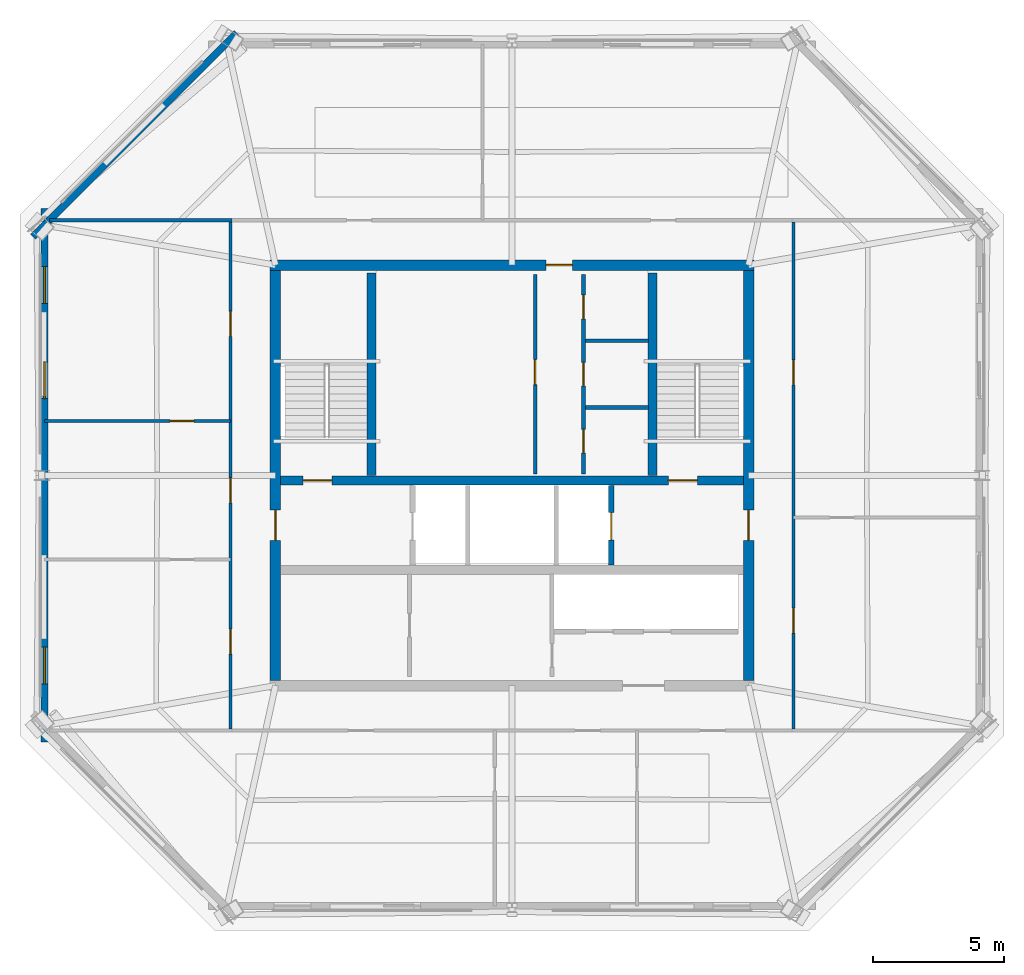
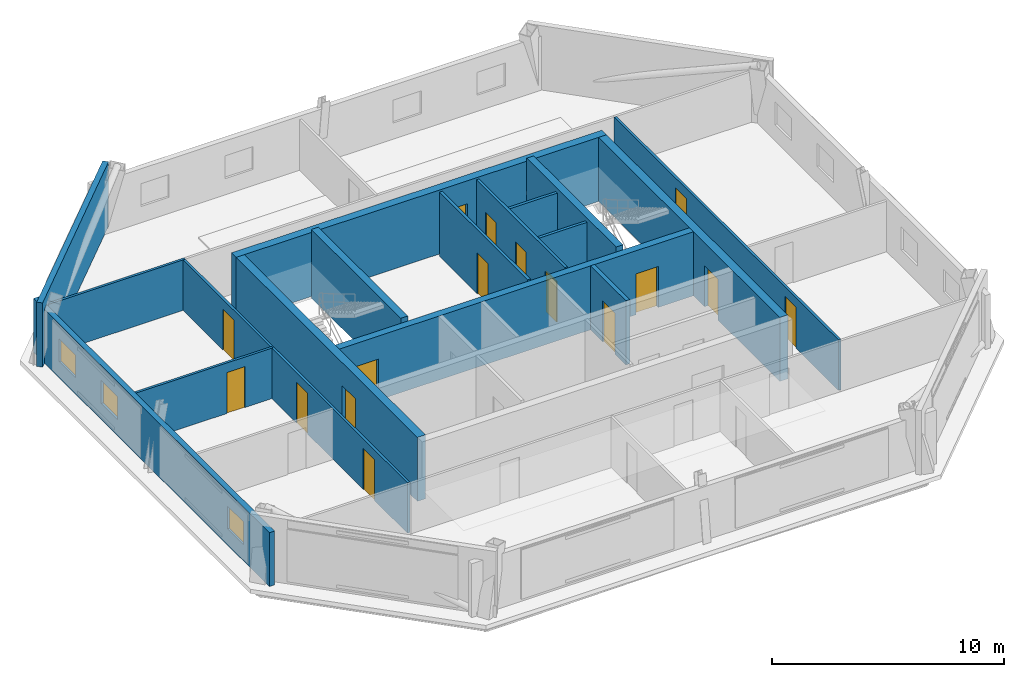
# One storey, part 3 of 6: 17 walls, 16 doors, 3 windows, 19 openings.
"""IFC4 building model written with IfcOpenShell, lengths in metres."""

import ifcopenshell
import ifcopenshell.guid

model = None  # the IFC model being written
_history = None  # IfcOwnerHistory: only IFC2X3 demands one
_inside = {}  # id of a spatial element -> (the spatial element, [elements in it])
_under = {}  # id of a project, library or spatial element -> (it, [spatial elements below it])
_declared = {}  # id of a project -> (the project, [libraries it declares])
_typed = {}  # id of a type object -> (the type object, [elements of that type])
_made_of = {}  # id of a material, layer set ... -> (it, [elements and type objects made of it])


def new_model(schema):
    """Start an empty IFC model of exactly this schema.

    Asked for "IFC4X3", IfcOpenShell would pick the latest addendum, in which some entities
    have other attributes; the version numbers below select the first issue.
    IFC2X3 requires an IfcOwnerHistory on every rooted entity: one is made here for all.
    """
    global model, _history
    if schema == "IFC4X3":
        model = ifcopenshell.file(schema_version=(4, 3, 0, 0))
    else:
        model = ifcopenshell.file(schema=schema)
    _inside.clear()
    _under.clear()
    _declared.clear()
    _typed.clear()
    _made_of.clear()
    _history = None
    if model.schema == "IFC2X3":
        org = make("IfcOrganization", Name="unknown")
        user = make(
            "IfcPersonAndOrganization",
            ThePerson=make("IfcPerson", FamilyName="unknown"),
            TheOrganization=org,
        )
        app = make(
            "IfcApplication",
            ApplicationDeveloper=org,
            Version="unknown",
            ApplicationFullName="unknown",
            ApplicationIdentifier="unknown",
        )
        _history = make(
            "IfcOwnerHistory",
            OwningUser=user,
            OwningApplication=app,
            ChangeAction="ADDED",
            CreationDate=0,
        )
    return model


def make(cls, **values):
    """One entity of the class cls with the attributes given. An attribute that is None is left unset."""
    return model.create_entity(
        cls, **{name: value for name, value in values.items() if value is not None}
    )


def rooted(cls, **values):
    """An entity with a GlobalId (a new one), such as an element, a storey or a relation."""
    return make(cls, GlobalId=ifcopenshell.guid.new(), OwnerHistory=_history, **values)


def si_unit(unit_type, name, prefix=None):
    """IfcSIUnit, for example si_unit("LENGTHUNIT", "METRE", prefix="MILLI")."""
    return make("IfcSIUnit", UnitType=unit_type, Prefix=prefix, Name=name)


def assignment(units):
    """IfcUnitAssignment: the units of a project."""
    return None if units is None else make("IfcUnitAssignment", Units=units)


def point(xyz):
    """IfcCartesianPoint."""
    return None if xyz is None else make("IfcCartesianPoint", Coordinates=xyz)


def direction(xyz):
    """IfcDirection."""
    return None if xyz is None else make("IfcDirection", DirectionRatios=xyz)


def frame(location, z_axis=None, x_axis=None):
    """IfcAxis2Placement3D, a coordinate frame: its origin and axes. An axis left out is left unset."""
    return make(
        "IfcAxis2Placement3D",
        Location=point(location),
        Axis=direction(z_axis),
        RefDirection=direction(x_axis),
    )


def frame_2d(location, x_axis=None):
    """IfcAxis2Placement2D, a coordinate frame in the plane: its origin and x axis."""
    return make(
        "IfcAxis2Placement2D", Location=point(location), RefDirection=direction(x_axis)
    )


def origin():
    """The frame at (0, 0, 0) with its axes left unset."""
    return frame((0.0, 0.0, 0.0))


def place(relative_to, where):
    """IfcLocalPlacement: puts the frame where relative to a parent placement (None: the world)."""
    return make(
        "IfcLocalPlacement", PlacementRelTo=relative_to, RelativePlacement=where
    )


def context(
    kind, dimensions, precision=None, world=None, true_north=None, identifier=None
):
    """IfcGeometricRepresentationContext, for example the 3D "Model" context."""
    return make(
        "IfcGeometricRepresentationContext",
        ContextIdentifier=identifier,
        ContextType=kind,
        CoordinateSpaceDimension=dimensions,
        Precision=precision,
        WorldCoordinateSystem=world,
        TrueNorth=true_north,
    )


def subcontext(parent, identifier, kind, view, scale=None):
    """IfcGeometricRepresentationSubContext, for example "Body" below "Model"."""
    return make(
        "IfcGeometricRepresentationSubContext",
        ContextIdentifier=identifier,
        ContextType=kind,
        ParentContext=parent,
        TargetScale=scale,
        TargetView=view,
    )


def project(units=None, contexts=None):
    """IfcProject with its units and contexts."""
    return rooted(
        "IfcProject",
        Name="project",
        RepresentationContexts=contexts,
        UnitsInContext=assignment(units),
    )


def spatial(cls, under=None, at=None, **own):
    """A site, building, storey or space (cls), placed at a placement, below another one or the project."""
    s = rooted(cls, ObjectPlacement=at, **own)
    if under is not None:
        _under.setdefault(under.id(), (under, []))[1].append(s)
    return s


def profile(cls, at=None, kind="AREA", **sizes):
    """A parametric profile (cls). Its sizes go by their IFC names, for example OverallWidth=200.0."""
    return make(cls, ProfileType=kind, Position=at, **sizes)


def rectangle(**sizes):
    """IfcRectangleProfileDef."""
    return profile("IfcRectangleProfileDef", **sizes)


def extrude(swept, where, along, depth):
    """IfcExtrudedAreaSolid: the profile swept, set in the frame where, extruded along a direction by depth."""
    return make(
        "IfcExtrudedAreaSolid",
        SweptArea=swept,
        Position=where,
        ExtrudedDirection=direction(along),
        Depth=depth,
    )


def shape(context_of_items, identifier, shape_type, items):
    """IfcShapeRepresentation: the items that make up one representation, for example the "Body"."""
    return make(
        "IfcShapeRepresentation",
        ContextOfItems=context_of_items,
        RepresentationIdentifier=identifier,
        RepresentationType=shape_type,
        Items=items,
    )


def material(Name=None, Category=None):
    """IfcMaterial."""
    return make("IfcMaterial", Name=Name, Category=Category)


def layer(
    of_material, thickness, ventilated=None, Name=None, Category=None, Priority=None
):
    """IfcMaterialLayer: one layer of a wall or slab, of a material (None: an air gap)."""
    return make(
        "IfcMaterialLayer",
        Material=of_material,
        LayerThickness=thickness,
        IsVentilated=ventilated,
        Name=Name,
        Category=Category,
        Priority=Priority,
    )


def layer_set(layers, Name=None):
    """IfcMaterialLayerSet."""
    return make("IfcMaterialLayerSet", MaterialLayers=layers, LayerSetName=Name)


def made_of(thing, what):
    """Note that an element or type object is made of a material, layer set ...; save() writes the relation."""
    if what is not None:
        _made_of.setdefault(what.id(), (what, []))[1].append(thing)
    return thing


def type_object(cls, material=None, **own):
    """A type object (cls), such as IfcWallType, which elements share."""
    return made_of(rooted(cls, **own), material)


def element(
    cls,
    number,
    at=None,
    inside=None,
    cuts=None,
    type_object=None,
    material=None,
    context=None,
    identifier="Body",
    shape_type=None,
    held_by="IfcProductDefinitionShape",
    body=None,
    shapes=None,
    **own,
):
    """One element of the class cls, such as IfcWall. Its Tag is "e" and its number.

    at: its placement. inside: the storey or other place that contains it. cuts: it is an
    opening in that element (IfcRelVoidsElement). A single representation is given by context,
    identifier, shape_type and body (its items); several are given by shapes. held_by: the class
    of the entity that holds the representations. save() writes the other relations.
    """
    e = rooted(cls, Tag="e%d" % number, ObjectPlacement=at, **own)
    if body is not None:
        shapes = [shape(context, identifier, shape_type, body)]
    if shapes is not None:
        e.Representation = make(held_by, Representations=shapes)
    if inside is not None:
        _inside.setdefault(inside.id(), (inside, []))[1].append(e)
    if cuts is not None:
        rooted(
            "IfcRelVoidsElement", RelatingBuildingElement=cuts, RelatedOpeningElement=e
        )
    if type_object is not None:
        _typed.setdefault(type_object.id(), (type_object, []))[1].append(e)
    return made_of(e, material)


def fill(opening, filler):
    """IfcRelFillsElement: the door or window that sits in an opening."""
    return rooted(
        "IfcRelFillsElement",
        RelatingOpeningElement=opening,
        RelatedBuildingElement=filler,
    )


def aggregate(whole, parts):
    """IfcRelAggregates: a whole, such as a stair, and the parts it consists of."""
    return rooted("IfcRelAggregates", RelatingObject=whole, RelatedObjects=parts)


def save(model, path):
    """Write the relations noted so far, then the file.

    IfcRelAggregates (storeys below a building ...), IfcRelContainedInSpatialStructure (elements
    in a storey), IfcRelDefinesByType, IfcRelAssociatesMaterial and IfcRelDeclares: one each for
    every whole, place, type object, material and project.
    """
    for whole, parts in _under.values():
        aggregate(whole, parts)
    for where, things in _inside.values():
        rooted(
            "IfcRelContainedInSpatialStructure",
            RelatedElements=things,
            RelatingStructure=where,
        )
    for kind, things in _typed.values():
        rooted("IfcRelDefinesByType", RelatedObjects=things, RelatingType=kind)
    for what, things in _made_of.values():
        rooted("IfcRelAssociatesMaterial", RelatedObjects=things, RelatingMaterial=what)
    for by, libraries in _declared.values():
        rooted("IfcRelDeclares", RelatingContext=by, RelatedDefinitions=libraries)
    model.write(path)


model = new_model("IFC4")

# Units and contexts
model_context = context("Model", 3, precision=1e-05, world=origin(), true_north=direction((0.0, 1.0)))
body_context = subcontext(model_context, "Body", "Model", "MODEL_VIEW")
ifc_project = project(units=[si_unit("LENGTHUNIT", "METRE"), si_unit("AREAUNIT", "SQUARE_METRE"), si_unit("VOLUMEUNIT", "CUBIC_METRE"), si_unit("PLANEANGLEUNIT", "RADIAN"), si_unit("MASSUNIT", "GRAM", prefix="KILO")], contexts=[model_context])

# Site, building, storey
site_placement = place(None, origin())
site = spatial("IfcSite", under=ifc_project, at=site_placement, CompositionType="ELEMENT")
building_placement = place(site_placement, origin())
building = spatial("IfcBuilding", under=site, at=building_placement, Name="Caelvoria Tower", CompositionType="ELEMENT")
storey_placement = place(building_placement, frame((0.0, 0.0, 268.199951171875)))
storey = spatial("IfcBuildingStorey", under=building, at=storey_placement, Name="L71", CompositionType="ELEMENT", Elevation=268.199951171875)

# Wall, openings, doors
ifc_material_1 = material(Name="Concrete C50/60", Category="concrete")
ifc_layer_1 = layer(ifc_material_1, 0.35009765625, Name="Concrete C50/60")
ifc_layer_set_1 = layer_set([ifc_layer_1], Name="Core Internal Shear Wall 350 - Concrete C50/60")
wall_type_1 = type_object("IfcWallType", Name="Core Internal Shear Wall 350", PredefinedType="SHEAR", material=ifc_layer_set_1)
wall_1_placement = place(storey_placement, frame((37.199951171875, 31.800048828125, 0.0), z_axis=(0.0, 0.0, 1.0), x_axis=(1.0, 0.0, 0.0)))
wall_1 = element("IfcWall", 1, at=wall_1_placement, inside=storey, type_object=wall_type_1, Name="Core Shear Wall L71 M1", PredefinedType="SHEAR", context=body_context, shape_type="SweptSolid", body=[
    extrude(rectangle(XDim=17.60009765625, YDim=0.35009765625, at=frame_2d((8.800048828125, 0.0))), origin(), (0.0, 0.0, 1.0), 3.360107421875),
])
opening_1_placement = place(wall_1_placement, frame((0.85009765625, 0.0, 0.0)))
opening_1 = element("IfcOpeningElement", 2, at=opening_1_placement, cuts=wall_1, Name="Opening ID-01", PredefinedType="OPENING", context=body_context, shape_type="SweptSolid", body=[
    extrude(rectangle(XDim=1.10009765625, YDim=2.14990234375, at=frame_2d((0.550048828125, 1.074951171875))), frame((0.0, 0.18505859375, 0.0), z_axis=(0.0, -1.0, 0.0), x_axis=(1.0, 0.0, 0.0)), (0.0, 0.0, 1.0), 0.3701171875),
])
opening_2_placement = place(wall_1_placement, frame((14.75, 0.0, 0.0)))
opening_2 = element("IfcOpeningElement", 3, at=opening_2_placement, cuts=wall_1, Name="Opening ID-01", PredefinedType="OPENING", context=body_context, shape_type="SweptSolid", body=[
    extrude(rectangle(XDim=1.10009765625, YDim=2.14990234375, at=frame_2d((0.550048828125, 1.074951171875))), frame((0.0, 0.18505859375, 0.0), z_axis=(0.0, -1.0, 0.0), x_axis=(1.0, 0.0, 0.0)), (0.0, 0.0, 1.0), 0.3701171875),
])
ifc_material_2 = material(Name="Painted Hollow Steel Fire Door", Category="steel")
door_type_1 = type_object("IfcDoorType", Name="Fire Door FD90S 1100x2150", OperationType="NOTDEFINED", PredefinedType="DOOR", material=ifc_material_2)
door_1_placement = place(opening_1_placement, origin())
door_1 = element("IfcDoor", 4, at=door_1_placement, inside=storey, type_object=door_type_1, Name="Core Door DR-L71-ST1", OperationType="SINGLE_SWING_LEFT", OverallHeight=2.14990234375, OverallWidth=1.10009765625, PredefinedType="DOOR", context=body_context, shape_type="SweptSolid", body=[
    extrude(rectangle(XDim=1.10009765625, YDim=2.14990234375, at=frame_2d((0.550048828125, 1.074951171875))), frame((0.0, 0.02490234375, 0.0), z_axis=(0.0, -1.0, 0.0), x_axis=(1.0, 0.0, 0.0)), (0.0, 0.0, 1.0), 0.050048828125),
])
fill(opening_1, door_1)
door_2_placement = place(opening_2_placement, origin())
door_2 = element("IfcDoor", 5, at=door_2_placement, inside=storey, type_object=door_type_1, Name="Core Door DR-L71-ST2", OperationType="SINGLE_SWING_RIGHT", OverallHeight=2.14990234375, OverallWidth=1.10009765625, PredefinedType="DOOR", context=body_context, shape_type="SweptSolid", body=[
    extrude(rectangle(XDim=1.10009765625, YDim=2.14990234375, at=frame_2d((0.550048828125, 1.074951171875))), frame((0.0, 0.02490234375, 0.0), z_axis=(0.0, -1.0, 0.0), x_axis=(1.0, 0.0, 0.0)), (0.0, 0.0, 1.0), 0.050048828125),
])
fill(opening_2, door_2)

# Walls
for number, where, z_axis, x_axis, name in (
    (6, (40.64990234375, 32.0, 0.0), (0.0, 0.0, 1.0), (0.0, 1.0, 0.0), "Interior Partition IW-L71-ST1E"),
    (7, (51.35009765625, 32.0, 0.0), (0.0, 0.0, 1.0), (0.0, 1.0, 0.0), "Interior Partition IW-L71-ST2W"),
):
    element("IfcWall", number, at=place(storey_placement, frame(where, z_axis=z_axis, x_axis=x_axis)), inside=storey, type_object=wall_type_1, Name=name, PredefinedType="SHEAR", context=body_context, shape_type="SweptSolid", body=[
        extrude(rectangle(XDim=7.699951171875, YDim=0.35009765625, at=frame_2d((3.85009765625, 0.0))), origin(), (0.0, 0.0, 1.0), 3.60009765625),
    ])

# Wall, opening, door
ifc_material_3 = material(Name="Moisture-Resistant Gypsum on Steel Stud", Category="steel")
ifc_layer_2 = layer(ifc_material_3, 0.139892578125, Name="Moisture-Resistant Gypsum on Steel Stud")
ifc_layer_set_2 = layer_set([ifc_layer_2], Name="Core Sanitary Acoustic Partition Wall 140 - Moisture-Resistant Gypsum on Steel Stud")
wall_type_2 = type_object("IfcWallType", Name="Core Sanitary Acoustic Partition Wall 140", PredefinedType="PARTITIONING", material=ifc_layer_set_2)
wall_2_placement = place(storey_placement, frame((46.8798828125, 32.050048828125, 0.0), z_axis=(0.0, 0.0, 1.0), x_axis=(0.0, 1.0, 0.0)))
wall_2 = element("IfcWall", 8, at=wall_2_placement, inside=storey, type_object=wall_type_2, Name="Interior Partition IW-L71-C2L", PredefinedType="PARTITIONING", context=body_context, shape_type="SweptSolid", body=[
    extrude(rectangle(XDim=7.599853515625, YDim=0.139892578125, at=frame_2d((3.7998046875, 0.0))), origin(), (0.0, 0.0, 1.0), 3.375),
])
opening_3_placement = place(wall_2_placement, frame((3.39990234375, 0.0, 0.0)))
opening_3 = element("IfcOpeningElement", 9, at=opening_3_placement, cuts=wall_2, Name="Opening ID-05", PredefinedType="OPENING", context=body_context, shape_type="SweptSolid", body=[
    extrude(rectangle(XDim=0.949951171875, YDim=2.14990234375, at=frame_2d((0.47509765625, 1.074951171875))), frame((0.0, 0.079833984375, 0.0), z_axis=(0.0, -1.0, 0.0), x_axis=(1.0, 0.0, 0.0)), (0.0, 0.0, 1.0), 0.159912109375),
])
ifc_material_4 = material(Name="Engineered Andean Oak Veneer Door", Category="wood")
door_type_2 = type_object("IfcDoorType", Name="Interior Timber Door 950x2150", OperationType="NOTDEFINED", PredefinedType="DOOR", material=ifc_material_4)
door_3_placement = place(opening_3_placement, origin())
door_3 = element("IfcDoor", 10, at=door_3_placement, inside=storey, type_object=door_type_2, Name="Interior Door DR-L71-C2W", OperationType="SINGLE_SWING_LEFT", OverallHeight=2.14990234375, OverallWidth=0.949951171875, PredefinedType="DOOR", context=body_context, shape_type="SweptSolid", body=[
    extrude(rectangle(XDim=0.949951171875, YDim=2.14990234375, at=frame_2d((0.47509765625, 1.074951171875))), frame((0.0, 0.02490234375, 0.0), z_axis=(0.0, -1.0, 0.0), x_axis=(1.0, 0.0, 0.0)), (0.0, 0.0, 1.0), 0.050048828125),
])
fill(opening_3, door_3)

# Wall, openings, doors
wall_3_placement = place(storey_placement, frame((48.719970703125, 32.050048828125, 0.0), z_axis=(0.0, 0.0, 1.0), x_axis=(0.0, 1.0, 0.0)))
wall_3 = element("IfcWall", 11, at=wall_3_placement, inside=storey, type_object=wall_type_2, Name="Interior Partition IW-L71-C2R", PredefinedType="PARTITIONING", context=body_context, shape_type="SweptSolid", body=[
    extrude(rectangle(XDim=7.599853515625, YDim=0.139892578125, at=frame_2d((3.7998046875, 0.0))), origin(), (0.0, 0.0, 1.0), 3.375),
])
opening_4_placement = place(wall_3_placement, frame((0.800048828125, 0.0, 0.0)))
opening_4 = element("IfcOpeningElement", 12, at=opening_4_placement, cuts=wall_3, Name="Opening ID-04", PredefinedType="OPENING", context=body_context, shape_type="SweptSolid", body=[
    extrude(rectangle(XDim=0.89990234375, YDim=2.14990234375, at=frame_2d((0.449951171875, 1.074951171875))), frame((0.0, 0.079833984375, 0.0), z_axis=(0.0, -1.0, 0.0), x_axis=(1.0, 0.0, 0.0)), (0.0, 0.0, 1.0), 0.159912109375),
])
opening_5_placement = place(wall_3_placement, frame((3.35009765625, 0.0, 0.0)))
opening_5 = element("IfcOpeningElement", 13, at=opening_5_placement, cuts=wall_3, Name="Opening ID-06", PredefinedType="OPENING", context=body_context, shape_type="SweptSolid", body=[
    extrude(rectangle(XDim=0.89990234375, YDim=2.14990234375, at=frame_2d((0.449951171875, 1.074951171875))), frame((0.0, 0.079833984375, 0.0), z_axis=(0.0, -1.0, 0.0), x_axis=(1.0, 0.0, 0.0)), (0.0, 0.0, 1.0), 0.159912109375),
])
opening_6_placement = place(wall_3_placement, frame((5.89990234375, 0.0, 0.0)))
opening_6 = element("IfcOpeningElement", 14, at=opening_6_placement, cuts=wall_3, Name="Opening ID-07", PredefinedType="OPENING", context=body_context, shape_type="SweptSolid", body=[
    extrude(rectangle(XDim=0.919921875, YDim=2.14990234375, at=frame_2d((0.4599609375, 1.074951171875))), frame((0.0, 0.079833984375, 0.0), z_axis=(0.0, -1.0, 0.0), x_axis=(1.0, 0.0, 0.0)), (0.0, 0.0, 1.0), 0.159912109375),
])
ifc_material_5 = material(Name="Engineered Andean Oak Accessible Door", Category="wood")
door_type_3 = type_object("IfcDoorType", Name="Accessible WC Door 950x2150", OperationType="NOTDEFINED", PredefinedType="DOOR", material=ifc_material_5)
door_4_placement = place(opening_6_placement, origin())
door_4 = element("IfcDoor", 15, at=door_4_placement, inside=storey, type_object=door_type_3, Name="Interior Door DR-L71-C2E3", OperationType="SINGLE_SWING_RIGHT", OverallHeight=2.14990234375, OverallWidth=0.919921875, PredefinedType="DOOR", context=body_context, shape_type="SweptSolid", body=[
    extrude(rectangle(XDim=0.919921875, YDim=2.14990234375, at=frame_2d((0.4599609375, 1.074951171875))), frame((0.0, 0.02490234375, 0.0), z_axis=(0.0, -1.0, 0.0), x_axis=(1.0, 0.0, 0.0)), (0.0, 0.0, 1.0), 0.050048828125),
])
fill(opening_6, door_4)
ifc_material_6 = material(Name="Acoustic Timber Fire Door", Category="wood")
door_type_4 = type_object("IfcDoorType", Name="Fire Door FD30S 900x2150", OperationType="NOTDEFINED", PredefinedType="DOOR", material=ifc_material_6)
door_5_placement = place(opening_4_placement, origin())
door_5 = element("IfcDoor", 16, at=door_5_placement, inside=storey, type_object=door_type_4, Name="Interior Door DR-L71-C2E1", OperationType="SINGLE_SWING_RIGHT", OverallHeight=2.14990234375, OverallWidth=0.89990234375, PredefinedType="DOOR", context=body_context, shape_type="SweptSolid", body=[
    extrude(rectangle(XDim=0.89990234375, YDim=2.14990234375, at=frame_2d((0.449951171875, 1.074951171875))), frame((0.0, 0.02490234375, 0.0), z_axis=(0.0, -1.0, 0.0), x_axis=(1.0, 0.0, 0.0)), (0.0, 0.0, 1.0), 0.050048828125),
])
fill(opening_4, door_5)
door_type_5 = type_object("IfcDoorType", Name="Interior Timber Door 900x2150", OperationType="NOTDEFINED", PredefinedType="DOOR", material=ifc_material_4)
door_6_placement = place(opening_5_placement, origin())
door_6 = element("IfcDoor", 17, at=door_6_placement, inside=storey, type_object=door_type_5, Name="Interior Door DR-L71-C2E2", OperationType="SINGLE_SWING_LEFT", OverallHeight=2.14990234375, OverallWidth=0.89990234375, PredefinedType="DOOR", context=body_context, shape_type="SweptSolid", body=[
    extrude(rectangle(XDim=0.89990234375, YDim=2.14990234375, at=frame_2d((0.449951171875, 1.074951171875))), frame((0.0, 0.02490234375, 0.0), z_axis=(0.0, -1.0, 0.0), x_axis=(1.0, 0.0, 0.0)), (0.0, 0.0, 1.0), 0.050048828125),
])
fill(opening_5, door_6)

# Walls
for number, where, z_axis, x_axis, name in (
    (18, (48.800048828125, 34.580078125, 0.0), (0.0, 0.0, 1.0), (1.0, 0.0, 0.0), "Interior Partition IW-L71-C2H1"),
    (19, (48.800048828125, 37.1201171875, 0.0), (0.0, 0.0, 1.0), (1.0, 0.0, 0.0), "Interior Partition IW-L71-C2H2"),
):
    element("IfcWall", number, at=place(storey_placement, frame(where, z_axis=z_axis, x_axis=x_axis)), inside=storey, type_object=wall_type_2, Name=name, PredefinedType="PARTITIONING", context=body_context, shape_type="SweptSolid", body=[
        extrude(rectangle(XDim=2.39990234375, YDim=0.139892578125, at=frame_2d((1.199951171875, 0.0))), origin(), (0.0, 0.0, 1.0), 3.375),
    ])

# Wall, opening, door
ifc_material_7 = material(Name="Concrete Block and Fireboard Assembly", Category="concrete")
ifc_layer_3 = layer(ifc_material_7, 0.199951171875, Name="Concrete Block and Fireboard Assembly")
ifc_layer_set_3 = layer_set([ifc_layer_3], Name="Fire-Rated Shaft and Core Partition Wall 200 - Concrete Block and Fireboard Assembly")
wall_type_3 = type_object("IfcWallType", Name="Fire-Rated Shaft and Core Partition Wall 200", PredefinedType="PARTITIONING", material=ifc_layer_set_3)
wall_4_placement = place(storey_placement, frame((49.780029296875, 28.580078125, 0.0), z_axis=(0.0, 0.0, 1.0), x_axis=(0.0, 1.0, 0.0)))
wall_4 = element("IfcWall", 20, at=wall_4_placement, inside=storey, type_object=wall_type_3, Name="Interior Partition IW-L71-LF2E", PredefinedType="PARTITIONING", context=body_context, shape_type="SweptSolid", body=[
    extrude(rectangle(XDim=3.0400390625, YDim=0.199951171875, at=frame_2d((1.52001953125, 0.0))), origin(), (0.0, 0.0, 1.0), 3.375),
])
opening_7_placement = place(wall_4_placement, frame((0.949951171875, 0.0, 0.0)))
opening_7 = element("IfcOpeningElement", 21, at=opening_7_placement, cuts=wall_4, Name="Opening LD-01", PredefinedType="OPENING", context=body_context, shape_type="SweptSolid", body=[
    extrude(rectangle(XDim=1.050048828125, YDim=2.14990234375, at=frame_2d((0.52490234375, 1.074951171875))), frame((0.0, 0.10986328125, 0.0), z_axis=(0.0, -1.0, 0.0), x_axis=(1.0, 0.0, 0.0)), (0.0, 0.0, 1.0), 0.219970703125),
])
ifc_material_8 = material(Name="Brushed Bronze Stainless Sliding Landing Door", Category="aluminium")
door_type_6 = type_object("IfcDoorType", Name="Lift Landing Sliding Door 1100x2150", OperationType="NOTDEFINED", PredefinedType="DOOR", material=ifc_material_8)
door_7_placement = place(opening_7_placement, origin())
door_7 = element("IfcDoor", 22, at=door_7_placement, inside=storey, type_object=door_type_6, Name="Interior Door LD-L71-LF2", OperationType="SLIDING_TO_RIGHT", OverallHeight=2.14990234375, OverallWidth=1.050048828125, PredefinedType="DOOR", context=body_context, shape_type="SweptSolid", body=[
    extrude(rectangle(XDim=1.050048828125, YDim=2.14990234375, at=frame_2d((0.52490234375, 1.074951171875))), frame((0.0, 0.02490234375, 0.0), z_axis=(0.0, -1.0, 0.0), x_axis=(1.0, 0.0, 0.0)), (0.0, 0.0, 1.0), 0.050048828125),
])
fill(opening_7, door_7)

ifc_layer_4 = layer(ifc_material_1, 0.39990234375, Name="Concrete C50/60")
ifc_layer_set_4 = layer_set([ifc_layer_4], Name="Summit Core Shear Wall 400 - Concrete C50/60")
wall_type_4 = type_object("IfcWallType", Name="Summit Core Shear Wall 400", PredefinedType="SHEAR", material=ifc_layer_set_4)
wall_5_placement = place(storey_placement, frame((36.800048828125, 40.0, 0.0), z_axis=(0.0, 0.0, 1.0), x_axis=(1.0, 0.0, 0.0)))
wall_5 = element("IfcWall", 23, at=wall_5_placement, inside=storey, type_object=wall_type_4, Name="Core Shear Wall L71 N", PredefinedType="SHEAR", context=body_context, shape_type="SweptSolid", body=[
    extrude(rectangle(XDim=18.39990234375, YDim=0.39990234375, at=frame_2d((9.199951171875, 0.0))), origin(), (0.0, 0.0, 1.0), 3.360107421875),
])
opening_8_placement = place(wall_5_placement, frame((10.5, 0.0, 0.0)))
opening_8 = element("IfcOpeningElement", 24, at=opening_8_placement, cuts=wall_5, Name="Opening ID-03", PredefinedType="OPENING", context=body_context, shape_type="SweptSolid", body=[
    extrude(rectangle(XDim=1.0, YDim=2.14990234375, at=frame_2d((0.5, 1.074951171875))), frame((0.0, 0.2099609375, 0.0), z_axis=(0.0, -1.0, 0.0), x_axis=(1.0, 0.0, 0.0)), (0.0, 0.0, 1.0), 0.419921875),
])
door_type_7 = type_object("IfcDoorType", Name="Fire Door FD60S 1000x2150", OperationType="NOTDEFINED", PredefinedType="DOOR", material=ifc_material_2)
door_8_placement = place(opening_8_placement, origin())
door_8 = element("IfcDoor", 25, at=door_8_placement, inside=storey, type_object=door_type_7, Name="Core Door DR-L71-WC-MAIN", OperationType="SINGLE_SWING_RIGHT", OverallHeight=2.14990234375, OverallWidth=1.0, PredefinedType="DOOR", context=body_context, shape_type="SweptSolid", body=[
    extrude(rectangle(XDim=1.0, YDim=2.14990234375, at=frame_2d((0.5, 1.074951171875))), frame((0.0, 0.02490234375, 0.0), z_axis=(0.0, -1.0, 0.0), x_axis=(1.0, 0.0, 0.0)), (0.0, 0.0, 1.0), 0.050048828125),
])
fill(opening_8, door_8)

wall_6_placement = place(storey_placement, frame((37.0, 24.199951171875, 0.0), z_axis=(0.0, 0.0, 1.0), x_axis=(0.0, 1.0, 0.0)))
wall_6 = element("IfcWall", 26, at=wall_6_placement, inside=storey, type_object=wall_type_4, Name="Core Shear Wall L71 W", PredefinedType="SHEAR", context=body_context, shape_type="SweptSolid", body=[
    extrude(rectangle(XDim=15.60009765625, YDim=0.39990234375, at=frame_2d((7.800048828125, 0.0))), origin(), (0.0, 0.0, 1.0), 3.360107421875),
])
opening_9_placement = place(wall_6_placement, frame((5.324951171875, 0.0, 0.0)))
opening_9 = element("IfcOpeningElement", 27, at=opening_9_placement, cuts=wall_6, Name="Opening ID-02", PredefinedType="OPENING", context=body_context, shape_type="SweptSolid", body=[
    extrude(rectangle(XDim=1.14990234375, YDim=2.14990234375, at=frame_2d((0.574951171875, 1.074951171875))), frame((0.0, 0.2099609375, 0.0), z_axis=(0.0, -1.0, 0.0), x_axis=(1.0, 0.0, 0.0)), (0.0, 0.0, 1.0), 0.419921875),
])
door_type_8 = type_object("IfcDoorType", Name="Fire Door FD60S 1150x2150", OperationType="NOTDEFINED", PredefinedType="DOOR", material=ifc_material_2)
door_9_placement = place(opening_9_placement, origin())
door_9 = element("IfcDoor", 28, at=door_9_placement, inside=storey, type_object=door_type_8, Name="Core Door DR-L71-FFLW-OUT", OperationType="SINGLE_SWING_LEFT", OverallHeight=2.14990234375, OverallWidth=1.14990234375, PredefinedType="DOOR", context=body_context, shape_type="SweptSolid", body=[
    extrude(rectangle(XDim=1.14990234375, YDim=2.14990234375, at=frame_2d((0.574951171875, 1.074951171875))), frame((0.0, 0.02490234375, 0.0), z_axis=(0.0, -1.0, 0.0), x_axis=(1.0, 0.0, 0.0)), (0.0, 0.0, 1.0), 0.050048828125),
])
fill(opening_9, door_9)

wall_7_placement = place(storey_placement, frame((55.0, 24.199951171875, 0.0), z_axis=(0.0, 0.0, 1.0), x_axis=(0.0, 1.0, 0.0)))
wall_7 = element("IfcWall", 29, at=wall_7_placement, inside=storey, type_object=wall_type_4, Name="Core Shear Wall L71 E", PredefinedType="SHEAR", context=body_context, shape_type="SweptSolid", body=[
    extrude(rectangle(XDim=15.60009765625, YDim=0.39990234375, at=frame_2d((7.800048828125, 0.0))), origin(), (0.0, 0.0, 1.0), 3.360107421875),
])
opening_10_placement = place(wall_7_placement, frame((5.324951171875, 0.0, 0.0)))
opening_10 = element("IfcOpeningElement", 30, at=opening_10_placement, cuts=wall_7, Name="Opening ID-02", PredefinedType="OPENING", context=body_context, shape_type="SweptSolid", body=[
    extrude(rectangle(XDim=1.14990234375, YDim=2.14990234375, at=frame_2d((0.574951171875, 1.074951171875))), frame((0.0, 0.2099609375, 0.0), z_axis=(0.0, -1.0, 0.0), x_axis=(1.0, 0.0, 0.0)), (0.0, 0.0, 1.0), 0.419921875),
])
door_10_placement = place(opening_10_placement, origin())
door_10 = element("IfcDoor", 31, at=door_10_placement, inside=storey, type_object=door_type_8, Name="Core Door DR-L71-FFLE-OUT", OperationType="SINGLE_SWING_RIGHT", OverallHeight=2.14990234375, OverallWidth=1.14990234375, PredefinedType="DOOR", context=body_context, shape_type="SweptSolid", body=[
    extrude(rectangle(XDim=1.14990234375, YDim=2.14990234375, at=frame_2d((0.574951171875, 1.074951171875))), frame((0.0, 0.02490234375, 0.0), z_axis=(0.0, -1.0, 0.0), x_axis=(1.0, 0.0, 0.0)), (0.0, 0.0, 1.0), 0.050048828125),
])
fill(opening_10, door_10)

ifc_material_9 = material(Name="Acoustic Gypsum Board on Light-Gauge Stud", Category="gypsum")
ifc_layer_5 = layer(ifc_material_9, 0.1201171875, Name="Acoustic Gypsum Board on Light-Gauge Stud")
ifc_layer_set_5 = layer_set([ifc_layer_5], Name="Tenant Suite Acoustic Partition Wall 120 - Acoustic Gypsum Board on Light-Gauge Stud")
wall_type_5 = type_object("IfcWallType", Name="Tenant Suite Acoustic Partition Wall 120", PredefinedType="PARTITIONING", material=ifc_layer_set_5)
wall_8_placement = place(storey_placement, frame((35.2900390625, 34.069091796875, 0.0), z_axis=(0.0, 0.0, 1.0), x_axis=(-1.0, 0.0, 0.0)))
wall_8 = element("IfcWall", 32, at=wall_8_placement, inside=storey, type_object=wall_type_5, Name="Interior Partition IW-L71-WD-01-0", PredefinedType="PARTITIONING", context=body_context, shape_type="SweptSolid", body=[
    extrude(rectangle(XDim=7.07275390625, YDim=0.1201171875, at=frame_2d((3.536376953125, 0.0))), origin(), (0.0, 0.0, 1.0), 2.655029296875),
])
opening_11_placement = place(wall_8_placement, frame((1.39990234375, 0.0, 0.0)))
opening_11 = element("IfcOpeningElement", 33, at=opening_11_placement, cuts=wall_8, Name="Opening ID-06", PredefinedType="OPENING", context=body_context, shape_type="SweptSolid", body=[
    extrude(rectangle(XDim=0.89990234375, YDim=2.14990234375, at=frame_2d((0.449951171875, 1.074951171875))), frame((0.0, 0.070068359375, 0.0), z_axis=(0.0, -1.0, 0.0), x_axis=(1.0, 0.0, 0.0)), (0.0, 0.0, 1.0), 0.14013671875),
])
door_11_placement = place(opening_11_placement, origin())
door_11 = element("IfcDoor", 34, at=door_11_placement, inside=storey, type_object=door_type_5, Name="Interior Door DR-L71-WM-01-0", OperationType="SINGLE_SWING_LEFT", OverallHeight=2.14990234375, OverallWidth=0.89990234375, PredefinedType="DOOR", context=body_context, shape_type="SweptSolid", body=[
    extrude(rectangle(XDim=0.89990234375, YDim=2.14990234375, at=frame_2d((0.449951171875, 1.074951171875))), frame((0.0, 0.02490234375, 0.0), z_axis=(0.0, -1.0, 0.0), x_axis=(1.0, 0.0, 0.0)), (0.0, 0.0, 1.0), 0.050048828125),
])
fill(opening_11, door_11)

# Wall, openings, doors
wall_9_placement = place(storey_placement, frame((35.2900390625, 22.35009765625, 0.0), z_axis=(0.0, 0.0, 1.0), x_axis=(0.0, 1.0, 0.0)))
wall_9 = element("IfcWall", 35, at=wall_9_placement, inside=storey, type_object=wall_type_5, Name="Interior Partition IW-L71-WCW-0", PredefinedType="PARTITIONING", context=body_context, shape_type="SweptSolid", body=[
    extrude(rectangle(XDim=19.2998046875, YDim=0.1201171875, at=frame_2d((9.64990234375, 0.0))), origin(), (0.0, 0.0, 1.0), 2.655029296875),
])
opening_12_placement = place(wall_9_placement, frame((2.8466796875, 0.0, 0.0)))
opening_12 = element("IfcOpeningElement", 36, at=opening_12_placement, cuts=wall_9, Name="Opening ID-05", PredefinedType="OPENING", context=body_context, shape_type="SweptSolid", body=[
    extrude(rectangle(XDim=0.949951171875, YDim=2.14990234375, at=frame_2d((0.47509765625, 1.074951171875))), frame((0.0, 0.070068359375, 0.0), z_axis=(0.0, -1.0, 0.0), x_axis=(1.0, 0.0, 0.0)), (0.0, 0.0, 1.0), 0.14013671875),
])
opening_13_placement = place(wall_9_placement, frame((8.6064453125, 0.0, 0.0)))
opening_13 = element("IfcOpeningElement", 37, at=opening_13_placement, cuts=wall_9, Name="Opening ID-05", PredefinedType="OPENING", context=body_context, shape_type="SweptSolid", body=[
    extrude(rectangle(XDim=0.949951171875, YDim=2.14990234375, at=frame_2d((0.47509765625, 1.074951171875))), frame((0.0, 0.070068359375, 0.0), z_axis=(0.0, -1.0, 0.0), x_axis=(1.0, 0.0, 0.0)), (0.0, 0.0, 1.0), 0.14013671875),
])
opening_14_placement = place(wall_9_placement, frame((14.9345703125, 0.0, 0.0)))
opening_14 = element("IfcOpeningElement", 38, at=opening_14_placement, cuts=wall_9, Name="Opening ID-05", PredefinedType="OPENING", context=body_context, shape_type="SweptSolid", body=[
    extrude(rectangle(XDim=0.949951171875, YDim=2.14990234375, at=frame_2d((0.47509765625, 1.074951171875))), frame((0.0, 0.070068359375, 0.0), z_axis=(0.0, -1.0, 0.0), x_axis=(1.0, 0.0, 0.0)), (0.0, 0.0, 1.0), 0.14013671875),
])
door_12_placement = place(opening_12_placement, origin())
door_12 = element("IfcDoor", 39, at=door_12_placement, inside=storey, type_object=door_type_2, Name="Interior Door DR-L71-WC-00-0", OperationType="SINGLE_SWING_RIGHT", OverallHeight=2.14990234375, OverallWidth=0.949951171875, PredefinedType="DOOR", context=body_context, shape_type="SweptSolid", body=[
    extrude(rectangle(XDim=0.949951171875, YDim=2.14990234375, at=frame_2d((0.47509765625, 1.074951171875))), frame((0.0, 0.02490234375, 0.0), z_axis=(0.0, -1.0, 0.0), x_axis=(1.0, 0.0, 0.0)), (0.0, 0.0, 1.0), 0.050048828125),
])
fill(opening_12, door_12)
door_13_placement = place(opening_13_placement, origin())
door_13 = element("IfcDoor", 40, at=door_13_placement, inside=storey, type_object=door_type_2, Name="Interior Door DR-L71-WC-01-0", OperationType="SINGLE_SWING_LEFT", OverallHeight=2.14990234375, OverallWidth=0.949951171875, PredefinedType="DOOR", context=body_context, shape_type="SweptSolid", body=[
    extrude(rectangle(XDim=0.949951171875, YDim=2.14990234375, at=frame_2d((0.47509765625, 1.074951171875))), frame((0.0, 0.02490234375, 0.0), z_axis=(0.0, -1.0, 0.0), x_axis=(1.0, 0.0, 0.0)), (0.0, 0.0, 1.0), 0.050048828125),
])
fill(opening_13, door_13)
door_14_placement = place(opening_14_placement, origin())
door_14 = element("IfcDoor", 41, at=door_14_placement, inside=storey, type_object=door_type_2, Name="Interior Door DR-L71-WC-02-0", OperationType="SINGLE_SWING_RIGHT", OverallHeight=2.14990234375, OverallWidth=0.949951171875, PredefinedType="DOOR", context=body_context, shape_type="SweptSolid", body=[
    extrude(rectangle(XDim=0.949951171875, YDim=2.14990234375, at=frame_2d((0.47509765625, 1.074951171875))), frame((0.0, 0.02490234375, 0.0), z_axis=(0.0, -1.0, 0.0), x_axis=(1.0, 0.0, 0.0)), (0.0, 0.0, 1.0), 0.050048828125),
])
fill(opening_14, door_14)

wall_10_placement = place(storey_placement, frame((56.7099609375, 22.35009765625, 0.0), z_axis=(0.0, 0.0, 1.0), x_axis=(0.0, 1.0, 0.0)))
wall_10 = element("IfcWall", 42, at=wall_10_placement, inside=storey, type_object=wall_type_5, Name="Interior Partition IW-L71-ECW-0", PredefinedType="PARTITIONING", context=body_context, shape_type="SweptSolid", body=[
    extrude(rectangle(XDim=19.2998046875, YDim=0.1201171875, at=frame_2d((9.64990234375, 0.0))), origin(), (0.0, 0.0, 1.0), 2.655029296875),
])
opening_15_placement = place(wall_10_placement, frame((3.646240234375, 0.0, 0.0)))
opening_15 = element("IfcOpeningElement", 43, at=opening_15_placement, cuts=wall_10, Name="Opening ID-05", PredefinedType="OPENING", context=body_context, shape_type="SweptSolid", body=[
    extrude(rectangle(XDim=0.949951171875, YDim=2.14990234375, at=frame_2d((0.47509765625, 1.074951171875))), frame((0.0, 0.070068359375, 0.0), z_axis=(0.0, -1.0, 0.0), x_axis=(1.0, 0.0, 0.0)), (0.0, 0.0, 1.0), 0.14013671875),
])
opening_16_placement = place(wall_10_placement, frame((13.09619140625, 0.0, 0.0)))
opening_16 = element("IfcOpeningElement", 44, at=opening_16_placement, cuts=wall_10, Name="Opening ID-05", PredefinedType="OPENING", context=body_context, shape_type="SweptSolid", body=[
    extrude(rectangle(XDim=0.949951171875, YDim=2.14990234375, at=frame_2d((0.47509765625, 1.074951171875))), frame((0.0, 0.070068359375, 0.0), z_axis=(0.0, -1.0, 0.0), x_axis=(1.0, 0.0, 0.0)), (0.0, 0.0, 1.0), 0.14013671875),
])
door_15_placement = place(opening_15_placement, origin())
door_15 = element("IfcDoor", 45, at=door_15_placement, inside=storey, type_object=door_type_2, Name="Interior Door DR-L71-EC-00-0", OperationType="SINGLE_SWING_RIGHT", OverallHeight=2.14990234375, OverallWidth=0.949951171875, PredefinedType="DOOR", context=body_context, shape_type="SweptSolid", body=[
    extrude(rectangle(XDim=0.949951171875, YDim=2.14990234375, at=frame_2d((0.47509765625, 1.074951171875))), frame((0.0, 0.02490234375, 0.0), z_axis=(0.0, -1.0, 0.0), x_axis=(1.0, 0.0, 0.0)), (0.0, 0.0, 1.0), 0.050048828125),
])
fill(opening_15, door_15)
door_16_placement = place(opening_16_placement, origin())
door_16 = element("IfcDoor", 46, at=door_16_placement, inside=storey, type_object=door_type_2, Name="Interior Door DR-L71-EC-01-0", OperationType="SINGLE_SWING_LEFT", OverallHeight=2.14990234375, OverallWidth=0.949951171875, PredefinedType="DOOR", context=body_context, shape_type="SweptSolid", body=[
    extrude(rectangle(XDim=0.949951171875, YDim=2.14990234375, at=frame_2d((0.47509765625, 1.074951171875))), frame((0.0, 0.02490234375, 0.0), z_axis=(0.0, -1.0, 0.0), x_axis=(1.0, 0.0, 0.0)), (0.0, 0.0, 1.0), 0.050048828125),
])
fill(opening_16, door_16)

# Walls
wall_11_placement = place(storey_placement, frame((35.35009765625, 41.7099609375, 0.0), z_axis=(0.0, 0.0, 1.0), x_axis=(-1.0, 0.0, 0.0)))
element("IfcWall", 47, at=wall_11_placement, inside=storey, type_object=wall_type_5, Name="Interior Partition IW-L71-BNW-0", PredefinedType="PARTITIONING", context=body_context, shape_type="SweptSolid", body=[
    extrude(rectangle(XDim=6.9423828125, YDim=0.1201171875, at=frame_2d((3.47119140625, 0.0))), origin(), (0.0, 0.0, 1.0), 2.655029296875),
])
ifc_material_10 = material(Name="Precast Concrete C40/50 with Bronze Cladding", Category="concrete")
ifc_layer_6 = layer(ifc_material_10, 0.264892578125, Name="Precast Concrete C40/50 with Bronze Cladding")
ifc_layer_set_6 = layer_set([ifc_layer_6], Name="Upper Taper Precast Concrete C40/50 Bronze Facade Wall 265 - Precast Concrete C40/50 with Bronze Cladding")
wall_type_6 = type_object("IfcWallType", Name="Upper Taper Precast Concrete C40/50 Bronze Facade Wall 265", PredefinedType="STANDARD", material=ifc_layer_set_6)
wall_12_placement = place(storey_placement, frame((35.52978515625, 48.832275390625, 0.0), z_axis=(0.0, 0.0, 1.0), x_axis=(-0.707106781187, -0.707106781187, 0.0)))
element("IfcWall", 48, at=wall_12_placement, inside=storey, type_object=wall_type_6, Name="Exterior Facade Wall L71-E5", PredefinedType="STANDARD", context=body_context, shape_type="SweptSolid", body=[
    extrude(rectangle(XDim=10.970947265625, YDim=0.264892578125, at=frame_2d((5.4853515625, 0.0))), origin(), (0.0, 0.0, 1.0), 3.375),
])

# Wall, openings, windows
wall_13_placement = place(storey_placement, frame((28.21728515625, 42.149169921875, 0.0), z_axis=(0.0, 0.0, 1.0), x_axis=(0.0, -1.0, 0.0)))
wall_13 = element("IfcWall", 49, at=wall_13_placement, inside=storey, type_object=wall_type_6, Name="Exterior Facade Wall L71-E6", PredefinedType="STANDARD", context=body_context, shape_type="SweptSolid", body=[
    extrude(rectangle(XDim=20.29833984375, YDim=0.264892578125, at=frame_2d((10.149169921875, 0.0))), origin(), (0.0, 0.0, 1.0), 2.83203125),
])
opening_17_placement = place(wall_13_placement, frame((2.209716796875, 0.0, 0.85009765625)))
opening_17 = element("IfcOpeningElement", 50, at=opening_17_placement, cuts=wall_13, Name="Opening WN-06", PredefinedType="OPENING", context=body_context, shape_type="SweptSolid", body=[
    extrude(rectangle(XDim=1.39990234375, YDim=1.199951171875, at=frame_2d((0.699951171875, 0.60009765625))), frame((0.0, 0.142333984375, 0.0), z_axis=(0.0, -1.0, 0.0), x_axis=(1.0, 0.0, 0.0)), (0.0, 0.0, 1.0), 0.284912109375),
])
opening_18_placement = place(wall_13_placement, frame((5.82958984375, 0.0, 0.85009765625)))
opening_18 = element("IfcOpeningElement", 51, at=opening_18_placement, cuts=wall_13, Name="Opening WN-06", PredefinedType="OPENING", context=body_context, shape_type="SweptSolid", body=[
    extrude(rectangle(XDim=1.39990234375, YDim=1.199951171875, at=frame_2d((0.699951171875, 0.60009765625))), frame((0.0, 0.142333984375, 0.0), z_axis=(0.0, -1.0, 0.0), x_axis=(1.0, 0.0, 0.0)), (0.0, 0.0, 1.0), 0.284912109375),
])
opening_19_placement = place(wall_13_placement, frame((16.6884765625, 0.0, 0.85009765625)))
opening_19 = element("IfcOpeningElement", 52, at=opening_19_placement, cuts=wall_13, Name="Opening WN-06", PredefinedType="OPENING", context=body_context, shape_type="SweptSolid", body=[
    extrude(rectangle(XDim=1.39990234375, YDim=1.199951171875, at=frame_2d((0.699951171875, 0.60009765625))), frame((0.0, 0.142333984375, 0.0), z_axis=(0.0, -1.0, 0.0), x_axis=(1.0, 0.0, 0.0)), (0.0, 0.0, 1.0), 0.284912109375),
])
ifc_material_11 = material(Name="Low-E Tinted Glass in Bronze Aluminium Frame", Category="aluminium")
window_type = type_object("IfcWindowType", Name="Podium Clerestory Window 1400x1200", PartitioningType="SINGLE_PANEL", PredefinedType="WINDOW", material=ifc_material_11)
window_1_placement = place(opening_17_placement, origin())
window_1 = element("IfcWindow", 53, at=window_1_placement, inside=storey, type_object=window_type, Name="Facade Window L71-E6-00", OverallHeight=1.199951171875, OverallWidth=1.39990234375, PartitioningType="SINGLE_PANEL", PredefinedType="WINDOW", context=body_context, shape_type="SweptSolid", body=[
    extrude(rectangle(XDim=1.39990234375, YDim=1.199951171875, at=frame_2d((0.699951171875, 0.60009765625))), frame((0.0, 0.030029296875, 0.0), z_axis=(0.0, -1.0, 0.0), x_axis=(1.0, 0.0, 0.0)), (0.0, 0.0, 1.0), 0.06005859375),
])
fill(opening_17, window_1)
window_2_placement = place(opening_18_placement, origin())
window_2 = element("IfcWindow", 54, at=window_2_placement, inside=storey, type_object=window_type, Name="Facade Window L71-E6-01", OverallHeight=1.199951171875, OverallWidth=1.39990234375, PartitioningType="SINGLE_PANEL", PredefinedType="WINDOW", context=body_context, shape_type="SweptSolid", body=[
    extrude(rectangle(XDim=1.39990234375, YDim=1.199951171875, at=frame_2d((0.699951171875, 0.60009765625))), frame((0.0, 0.030029296875, 0.0), z_axis=(0.0, -1.0, 0.0), x_axis=(1.0, 0.0, 0.0)), (0.0, 0.0, 1.0), 0.06005859375),
])
fill(opening_18, window_2)
window_3_placement = place(opening_19_placement, origin())
window_3 = element("IfcWindow", 55, at=window_3_placement, inside=storey, type_object=window_type, Name="Facade Window L71-E6-04", OverallHeight=1.199951171875, OverallWidth=1.39990234375, PartitioningType="SINGLE_PANEL", PredefinedType="WINDOW", context=body_context, shape_type="SweptSolid", body=[
    extrude(rectangle(XDim=1.39990234375, YDim=1.199951171875, at=frame_2d((0.699951171875, 0.60009765625))), frame((0.0, 0.030029296875, 0.0), z_axis=(0.0, -1.0, 0.0), x_axis=(1.0, 0.0, 0.0)), (0.0, 0.0, 1.0), 0.06005859375),
])
fill(opening_19, window_3)

save(model, "model.ifc")
